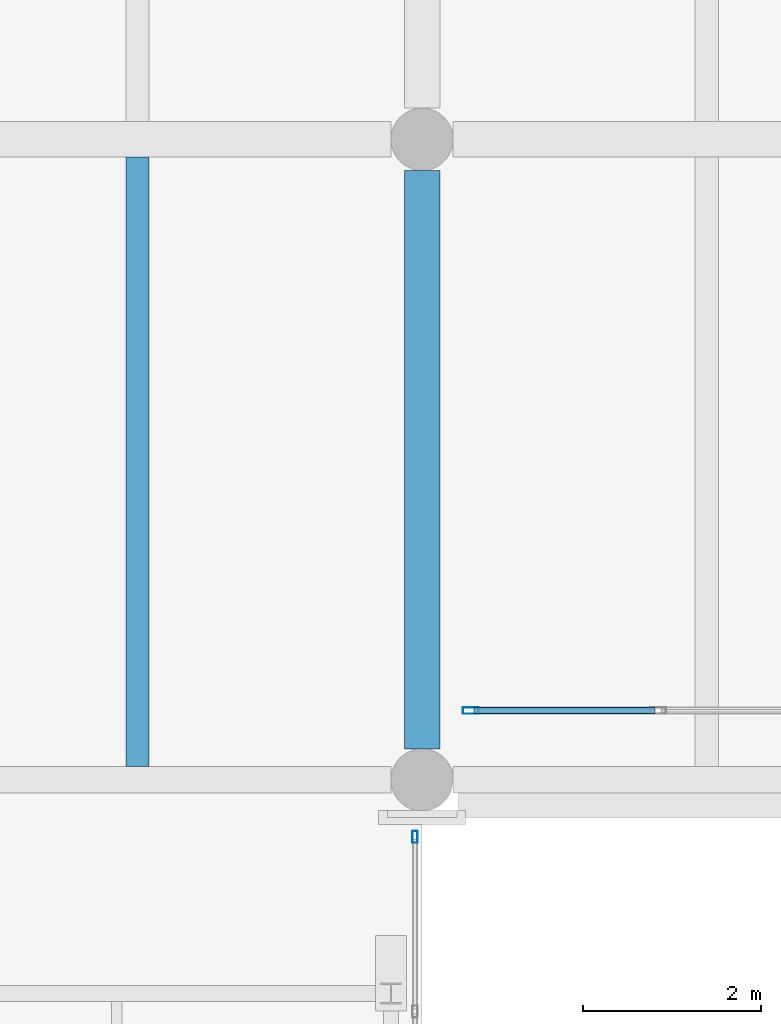
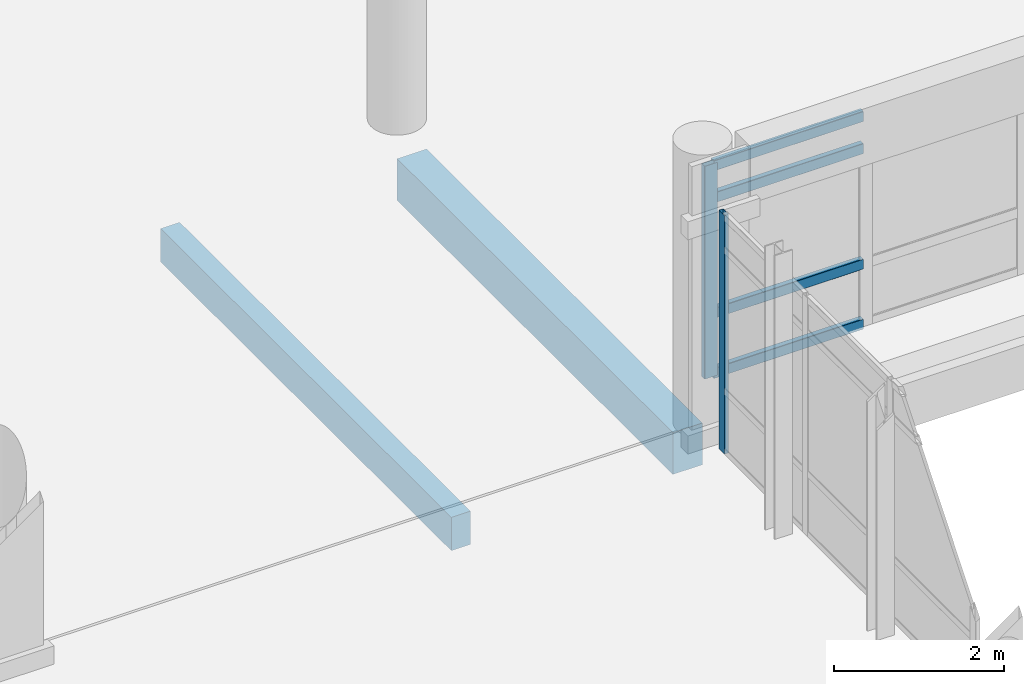
# One storey, part 37 of 180: 6 members, 2 beams, 2 elements without a shape of their own.
"""IFC4 building model written with IfcOpenShell, lengths in metres."""

from ifc_helpers import new_model, si_unit, direction, frame, origin, origin_2d, place, context, subcontext, project, spatial, rectangle, hollow_rectangle, extrude, material, layer, layer_set, material_profile, profile_set, type_object, element, aggregate, save


model = new_model("IFC4")

# Units and contexts
model_context = context("Model", 3, precision=1e-05, world=origin(), true_north=direction((0.0, 1.0)))
body_context = subcontext(model_context, "Body", "Model", "MODEL_VIEW")
ifc_project = project(units=[si_unit("LENGTHUNIT", "METRE"), si_unit("AREAUNIT", "SQUARE_METRE"), si_unit("VOLUMEUNIT", "CUBIC_METRE"), si_unit("PLANEANGLEUNIT", "RADIAN"), si_unit("MASSUNIT", "GRAM", prefix="KILO")], contexts=[model_context])

# Site, building, storey
site_placement = place(None, origin())
site = spatial("IfcSite", under=ifc_project, at=site_placement, CompositionType="ELEMENT")
building_placement = place(site_placement, origin())
building = spatial("IfcBuilding", under=site, at=building_placement, Name="Asteropetra Specialist Clinic", CompositionType="ELEMENT")
storey_placement = place(building_placement, frame((0.0, 0.0, 4.419921875)))
storey = spatial("IfcBuildingStorey", under=building, at=storey_placement, Name="L01", CompositionType="ELEMENT", Elevation=4.419921875)

# Beam
ifc_material_1 = material(Name="Concrete C35/45", Category="concrete")
ifc_material_profile_1 = material_profile(ifc_material_1, rectangle(XDim=0.39990234375, YDim=0.60009765625, at=origin_2d()), Name="RCB 400x600")
ifc_profile_set_1 = profile_set([ifc_material_profile_1], Name="Concrete C35/45")
beam_type_1 = type_object("IfcBeamType", Name="BM-RC400x600", PredefinedType="BEAM", material=ifc_profile_set_1)
beam_1_placement = place(storey_placement, frame((28.800048828125, 33.949951171875, -0.599853515625), z_axis=(0.0, 1.0, 0.0), x_axis=(-1.0, 0.0, 0.0)))
element("IfcBeam", 1, at=beam_1_placement, inside=storey, type_object=beam_type_1, Name="Beam BBM08-0337", PredefinedType="BEAM", context=body_context, shape_type="SweptSolid", body=[
    extrude(rectangle(XDim=0.39990234375, YDim=0.60009765625, at=origin_2d()), origin(), (0.0, 0.0, 1.0), 6.5),
])

# Curtain wall, member
ifc_material_2 = material(Name="Aluminium and low-E glass", Category="aluminium")
ifc_layer_1 = layer(ifc_material_2, 0.14990234375)
ifc_layer_set_1 = layer_set([ifc_layer_1], Name="Aluminium and low-E glass")
curtain_wall_type_1 = type_object("IfcCurtainWallType", Name="CW-SYS-08", PredefinedType="USERDEFINED", material=ifc_layer_set_1)
curtain_wall_1_placement = place(storey_placement, origin())
curtain_wall_1 = element("IfcCurtainWall", 2, at=curtain_wall_1_placement, inside=storey, type_object=curtain_wall_type_1, Name="Curtain Wall CW-098", ObjectType="STICK GLAZED COLONNADE", PredefinedType="USERDEFINED")
ifc_material_3 = material(Name="Aluminium 6063-T6", Category="aluminium")
ifc_material_profile_2 = material_profile(ifc_material_3, hollow_rectangle(XDim=0.06005859375, YDim=0.135009765625, WallThickness=0.00341796875, InnerFilletRadius=0.00341796875, OuterFilletRadius=0.007080078125, at=origin_2d()), Name="MUL 135x60x3.5")
ifc_profile_set_2 = profile_set([ifc_material_profile_2], Name="Aluminium 6063-T6")
member_type_1 = type_object("IfcMemberType", Name="CWM-135x60", PredefinedType="MULLION", material=ifc_profile_set_2)
member_1_placement = place(storey_placement, frame((28.719970703125, 32.9599609375, 0.0), z_axis=(0.0, 0.0, 1.0), x_axis=(1.0, 0.0, 0.0)))
member_1 = element("IfcMember", 3, at=member_1_placement, type_object=member_type_1, Name="CW-098 mullion 1", PredefinedType="MULLION", context=body_context, shape_type="SweptSolid", body=[
    extrude(hollow_rectangle(XDim=0.06005859375, YDim=0.135009765625, WallThickness=0.00341796875, InnerFilletRadius=0.00341796875, OuterFilletRadius=0.007080078125, at=origin_2d()), origin(), (0.0, 0.0, 1.0), 3.43017578125),
])
aggregate(curtain_wall_1, [member_1])

# Curtain wall, members
ifc_material_4 = material(Name="Aluminium and low-E glass", Category="aluminium")
ifc_layer_2 = layer(ifc_material_4, 0.135009765625)
ifc_layer_set_2 = layer_set([ifc_layer_2], Name="Aluminium and low-E glass")
curtain_wall_type_2 = type_object("IfcCurtainWallType", Name="CW-SYS-09", PredefinedType="USERDEFINED", material=ifc_layer_set_2)
curtain_wall_2_placement = place(storey_placement, origin())
curtain_wall_2 = element("IfcCurtainWall", 4, at=curtain_wall_2_placement, inside=storey, type_object=curtain_wall_type_2, Name="Curtain Wall CW-156", ObjectType="STICK GLAZED COLONNADE", PredefinedType="USERDEFINED")
ifc_material_5 = material(Name="Aluminium 6063-T6", Category="aluminium")
ifc_material_profile_3 = material_profile(ifc_material_5, hollow_rectangle(XDim=0.074951171875, YDim=0.179931640625, WallThickness=0.00390625, InnerFilletRadius=0.00390625, OuterFilletRadius=0.008056640625, at=origin_2d()), Name="MUL 180x75x4.0")
ifc_profile_set_3 = profile_set([ifc_material_profile_3], Name="Aluminium 6063-T6")
member_type_2 = type_object("IfcMemberType", Name="CWM-180x75", PredefinedType="MULLION", material=ifc_profile_set_3)
member_2_placement = place(storey_placement, frame((29.347412109375, 34.3798828125, 0.0), z_axis=(0.0, 0.0, 1.0), x_axis=(0.0, 1.0, 0.0)))
member_2 = element("IfcMember", 5, at=member_2_placement, type_object=member_type_2, Name="CW-156 mullion 1", PredefinedType="MULLION", context=body_context, shape_type="SweptSolid", body=[
    extrude(hollow_rectangle(XDim=0.074951171875, YDim=0.179931640625, WallThickness=0.00390625, InnerFilletRadius=0.00390625, OuterFilletRadius=0.008056640625, at=origin_2d()), origin(), (0.0, 0.0, 1.0), 3.06005859375),
])
ifc_material_6 = material(Name="Aluminium 6063-T6", Category="aluminium")
ifc_material_profile_4 = material_profile(ifc_material_6, hollow_rectangle(XDim=0.074951171875, YDim=0.14990234375, WallThickness=0.00390625, InnerFilletRadius=0.00390625, OuterFilletRadius=0.008056640625, at=origin_2d()), Name="TRN 150x75x4.0")
ifc_profile_set_4 = profile_set([ifc_material_profile_4], Name="Aluminium 6063-T6")
member_type_3 = type_object("IfcMemberType", Name="CWT-150x75", PredefinedType="USERDEFINED", material=ifc_profile_set_4)
member_3_placement = place(storey_placement, frame((29.385009765625, 34.3798828125, 0.03759765625), z_axis=(1.0, 0.0, 0.0), x_axis=(0.0, 1.0, 0.0)))
member_3 = element("IfcMember", 6, at=member_3_placement, type_object=member_type_3, Name="CW-156 transom 1.1", ObjectType="TRANSOM", PredefinedType="USERDEFINED", context=body_context, shape_type="SweptSolid", body=[
    extrude(hollow_rectangle(XDim=0.074951171875, YDim=0.14990234375, WallThickness=0.00390625, InnerFilletRadius=0.00390625, OuterFilletRadius=0.008056640625, at=origin_2d()), origin(), (0.0, 0.0, 1.0), 2.032470703125),
])
member_4_placement = place(storey_placement, frame((29.385009765625, 34.3798828125, 0.900146484375), z_axis=(1.0, 0.0, 0.0), x_axis=(0.0, 1.0, 0.0)))
member_4 = element("IfcMember", 7, at=member_4_placement, type_object=member_type_3, Name="CW-156 transom 1.2", ObjectType="TRANSOM", PredefinedType="USERDEFINED", context=body_context, shape_type="SweptSolid", body=[
    extrude(hollow_rectangle(XDim=0.074951171875, YDim=0.14990234375, WallThickness=0.00390625, InnerFilletRadius=0.00390625, OuterFilletRadius=0.008056640625, at=origin_2d()), origin(), (0.0, 0.0, 1.0), 2.032470703125),
])
member_5_placement = place(storey_placement, frame((29.385009765625, 34.3798828125, 2.56005859375), z_axis=(1.0, 0.0, 0.0), x_axis=(0.0, 1.0, 0.0)))
member_5 = element("IfcMember", 8, at=member_5_placement, type_object=member_type_3, Name="CW-156 transom 1.3", ObjectType="TRANSOM", PredefinedType="USERDEFINED", context=body_context, shape_type="SweptSolid", body=[
    extrude(hollow_rectangle(XDim=0.074951171875, YDim=0.14990234375, WallThickness=0.00390625, InnerFilletRadius=0.00390625, OuterFilletRadius=0.008056640625, at=origin_2d()), origin(), (0.0, 0.0, 1.0), 2.032470703125),
])
member_6_placement = place(storey_placement, frame((29.385009765625, 34.3798828125, 3.0224609375), z_axis=(1.0, 0.0, 0.0), x_axis=(0.0, 1.0, 0.0)))
member_6 = element("IfcMember", 9, at=member_6_placement, type_object=member_type_3, Name="CW-156 transom 1.4", ObjectType="TRANSOM", PredefinedType="USERDEFINED", context=body_context, shape_type="SweptSolid", body=[
    extrude(hollow_rectangle(XDim=0.074951171875, YDim=0.14990234375, WallThickness=0.00390625, InnerFilletRadius=0.00390625, OuterFilletRadius=0.008056640625, at=origin_2d()), origin(), (0.0, 0.0, 1.0), 2.032470703125),
])
aggregate(curtain_wall_2, [member_2, member_3, member_4, member_5, member_6])

# Beam
ifc_material_7 = material(Name="Concrete C35/45", Category="concrete")
ifc_material_profile_5 = material_profile(ifc_material_7, rectangle(XDim=0.260009765625, YDim=0.47998046875, at=origin_2d()), Name="RCJ 260x480")
ifc_profile_set_5 = profile_set([ifc_material_profile_5], Name="Concrete C35/45")
beam_type_2 = type_object("IfcBeamType", Name="JST-RC260x480", PredefinedType="JOIST", material=ifc_profile_set_5)
beam_2_placement = place(storey_placement, frame((25.60009765625, 33.75, -0.5400390625), z_axis=(0.0, 1.0, 0.0), x_axis=(-1.0, 0.0, 0.0)))
element("IfcBeam", 10, at=beam_2_placement, inside=storey, type_object=beam_type_2, Name="Joist JJST02-0343", PredefinedType="JOIST", context=body_context, shape_type="SweptSolid", body=[
    extrude(rectangle(XDim=0.260009765625, YDim=0.47998046875, at=origin_2d()), origin(), (0.0, 0.0, 1.0), 6.85009765625),
])

save(model, "model.ifc")
